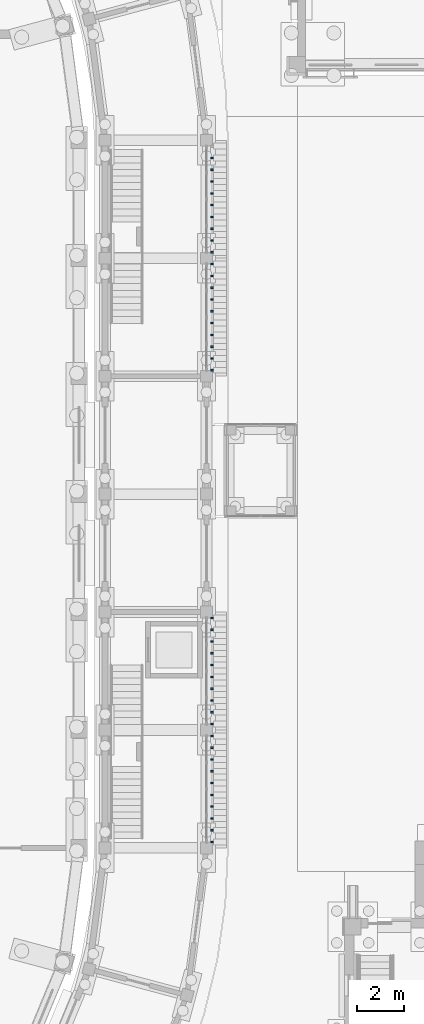
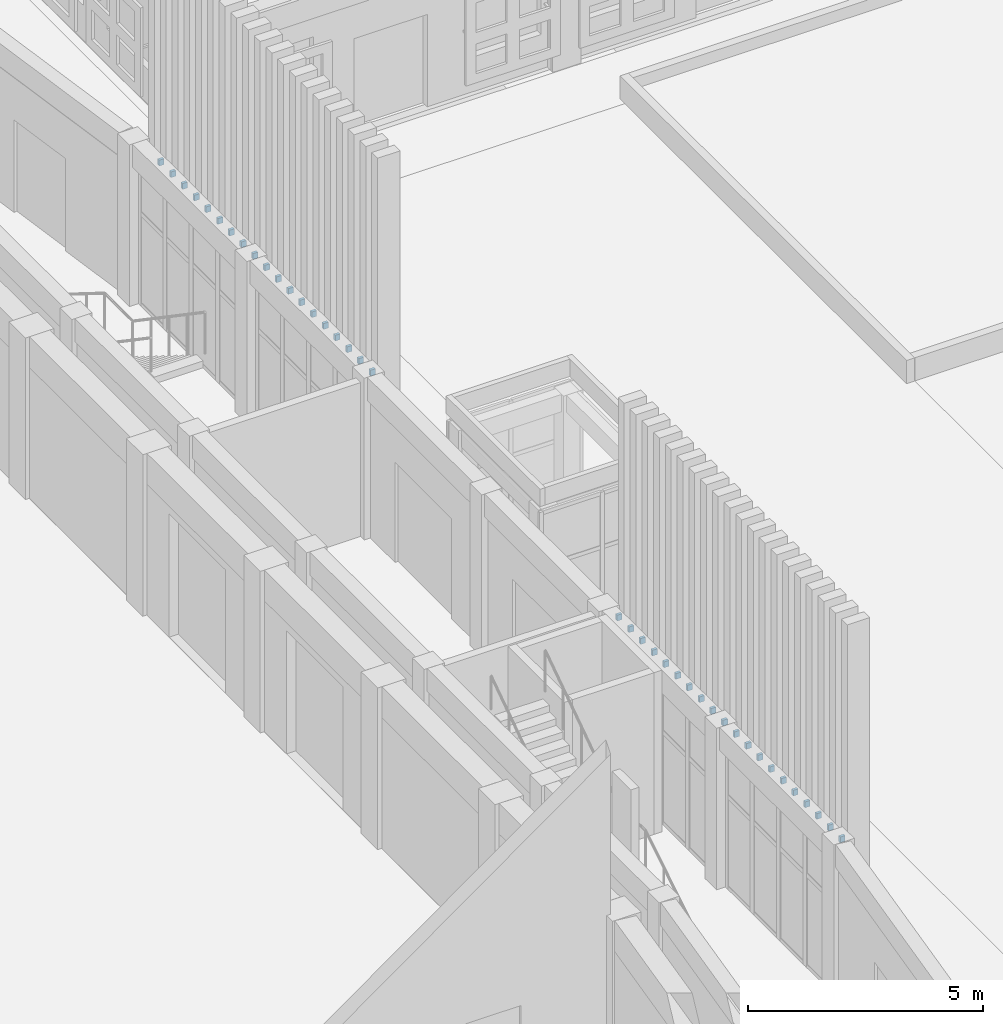
# One storey, part 85 of 112: 39 discrete accessories.
"""IFC4 building model written with IfcOpenShell, lengths in metres."""

import ifcopenshell
import ifcopenshell.guid

model = None  # the IFC model being written
_history = None  # IfcOwnerHistory: only IFC2X3 demands one
_inside = {}  # id of a spatial element -> (the spatial element, [elements in it])
_under = {}  # id of a project, library or spatial element -> (it, [spatial elements below it])
_declared = {}  # id of a project -> (the project, [libraries it declares])
_typed = {}  # id of a type object -> (the type object, [elements of that type])
_made_of = {}  # id of a material, layer set ... -> (it, [elements and type objects made of it])


def new_model(schema):
    """Start an empty IFC model of exactly this schema.

    Asked for "IFC4X3", IfcOpenShell would pick the latest addendum, in which some entities
    have other attributes; the version numbers below select the first issue.
    IFC2X3 requires an IfcOwnerHistory on every rooted entity: one is made here for all.
    """
    global model, _history
    if schema == "IFC4X3":
        model = ifcopenshell.file(schema_version=(4, 3, 0, 0))
    else:
        model = ifcopenshell.file(schema=schema)
    _inside.clear()
    _under.clear()
    _declared.clear()
    _typed.clear()
    _made_of.clear()
    _history = None
    if model.schema == "IFC2X3":
        org = make("IfcOrganization", Name="unknown")
        user = make(
            "IfcPersonAndOrganization",
            ThePerson=make("IfcPerson", FamilyName="unknown"),
            TheOrganization=org,
        )
        app = make(
            "IfcApplication",
            ApplicationDeveloper=org,
            Version="unknown",
            ApplicationFullName="unknown",
            ApplicationIdentifier="unknown",
        )
        _history = make(
            "IfcOwnerHistory",
            OwningUser=user,
            OwningApplication=app,
            ChangeAction="ADDED",
            CreationDate=0,
        )
    return model


def make(cls, **values):
    """One entity of the class cls with the attributes given. An attribute that is None is left unset."""
    return model.create_entity(
        cls, **{name: value for name, value in values.items() if value is not None}
    )


def rooted(cls, **values):
    """An entity with a GlobalId (a new one), such as an element, a storey or a relation."""
    return make(cls, GlobalId=ifcopenshell.guid.new(), OwnerHistory=_history, **values)


def si_unit(unit_type, name, prefix=None):
    """IfcSIUnit, for example si_unit("LENGTHUNIT", "METRE", prefix="MILLI")."""
    return make("IfcSIUnit", UnitType=unit_type, Prefix=prefix, Name=name)


def assignment(units):
    """IfcUnitAssignment: the units of a project."""
    return None if units is None else make("IfcUnitAssignment", Units=units)


def point(xyz):
    """IfcCartesianPoint."""
    return None if xyz is None else make("IfcCartesianPoint", Coordinates=xyz)


def direction(xyz):
    """IfcDirection."""
    return None if xyz is None else make("IfcDirection", DirectionRatios=xyz)


def frame(location, z_axis=None, x_axis=None):
    """IfcAxis2Placement3D, a coordinate frame: its origin and axes. An axis left out is left unset."""
    return make(
        "IfcAxis2Placement3D",
        Location=point(location),
        Axis=direction(z_axis),
        RefDirection=direction(x_axis),
    )


def frame_2d(location, x_axis=None):
    """IfcAxis2Placement2D, a coordinate frame in the plane: its origin and x axis."""
    return make(
        "IfcAxis2Placement2D", Location=point(location), RefDirection=direction(x_axis)
    )


def origin():
    """The frame at (0, 0, 0) with its axes left unset."""
    return frame((0.0, 0.0, 0.0))


def origin_2d():
    """The frame at (0, 0) in the plane with its x axis left unset."""
    return frame_2d((0.0, 0.0))


def place(relative_to, where):
    """IfcLocalPlacement: puts the frame where relative to a parent placement (None: the world)."""
    return make(
        "IfcLocalPlacement", PlacementRelTo=relative_to, RelativePlacement=where
    )


def context(
    kind, dimensions, precision=None, world=None, true_north=None, identifier=None
):
    """IfcGeometricRepresentationContext, for example the 3D "Model" context."""
    return make(
        "IfcGeometricRepresentationContext",
        ContextIdentifier=identifier,
        ContextType=kind,
        CoordinateSpaceDimension=dimensions,
        Precision=precision,
        WorldCoordinateSystem=world,
        TrueNorth=true_north,
    )


def subcontext(parent, identifier, kind, view, scale=None):
    """IfcGeometricRepresentationSubContext, for example "Body" below "Model"."""
    return make(
        "IfcGeometricRepresentationSubContext",
        ContextIdentifier=identifier,
        ContextType=kind,
        ParentContext=parent,
        TargetScale=scale,
        TargetView=view,
    )


def project(units=None, contexts=None):
    """IfcProject with its units and contexts."""
    return rooted(
        "IfcProject",
        Name="project",
        RepresentationContexts=contexts,
        UnitsInContext=assignment(units),
    )


def spatial(cls, under=None, at=None, **own):
    """A site, building, storey or space (cls), placed at a placement, below another one or the project."""
    s = rooted(cls, ObjectPlacement=at, **own)
    if under is not None:
        _under.setdefault(under.id(), (under, []))[1].append(s)
    return s


def profile(cls, at=None, kind="AREA", **sizes):
    """A parametric profile (cls). Its sizes go by their IFC names, for example OverallWidth=200.0."""
    return make(cls, ProfileType=kind, Position=at, **sizes)


def rectangle(**sizes):
    """IfcRectangleProfileDef."""
    return profile("IfcRectangleProfileDef", **sizes)


def extrude(swept, where, along, depth):
    """IfcExtrudedAreaSolid: the profile swept, set in the frame where, extruded along a direction by depth."""
    return make(
        "IfcExtrudedAreaSolid",
        SweptArea=swept,
        Position=where,
        ExtrudedDirection=direction(along),
        Depth=depth,
    )


def shape(context_of_items, identifier, shape_type, items):
    """IfcShapeRepresentation: the items that make up one representation, for example the "Body"."""
    return make(
        "IfcShapeRepresentation",
        ContextOfItems=context_of_items,
        RepresentationIdentifier=identifier,
        RepresentationType=shape_type,
        Items=items,
    )


def material(Name=None, Category=None):
    """IfcMaterial."""
    return make("IfcMaterial", Name=Name, Category=Category)


def made_of(thing, what):
    """Note that an element or type object is made of a material, layer set ...; save() writes the relation."""
    if what is not None:
        _made_of.setdefault(what.id(), (what, []))[1].append(thing)
    return thing


def type_object(cls, material=None, **own):
    """A type object (cls), such as IfcWallType, which elements share."""
    return made_of(rooted(cls, **own), material)


def element(
    cls,
    number,
    at=None,
    inside=None,
    cuts=None,
    type_object=None,
    material=None,
    context=None,
    identifier="Body",
    shape_type=None,
    held_by="IfcProductDefinitionShape",
    body=None,
    shapes=None,
    **own,
):
    """One element of the class cls, such as IfcWall. Its Tag is "e" and its number.

    at: its placement. inside: the storey or other place that contains it. cuts: it is an
    opening in that element (IfcRelVoidsElement). A single representation is given by context,
    identifier, shape_type and body (its items); several are given by shapes. held_by: the class
    of the entity that holds the representations. save() writes the other relations.
    """
    e = rooted(cls, Tag="e%d" % number, ObjectPlacement=at, **own)
    if body is not None:
        shapes = [shape(context, identifier, shape_type, body)]
    if shapes is not None:
        e.Representation = make(held_by, Representations=shapes)
    if inside is not None:
        _inside.setdefault(inside.id(), (inside, []))[1].append(e)
    if cuts is not None:
        rooted(
            "IfcRelVoidsElement", RelatingBuildingElement=cuts, RelatedOpeningElement=e
        )
    if type_object is not None:
        _typed.setdefault(type_object.id(), (type_object, []))[1].append(e)
    return made_of(e, material)


def aggregate(whole, parts):
    """IfcRelAggregates: a whole, such as a stair, and the parts it consists of."""
    return rooted("IfcRelAggregates", RelatingObject=whole, RelatedObjects=parts)


def save(model, path):
    """Write the relations noted so far, then the file.

    IfcRelAggregates (storeys below a building ...), IfcRelContainedInSpatialStructure (elements
    in a storey), IfcRelDefinesByType, IfcRelAssociatesMaterial and IfcRelDeclares: one each for
    every whole, place, type object, material and project.
    """
    for whole, parts in _under.values():
        aggregate(whole, parts)
    for where, things in _inside.values():
        rooted(
            "IfcRelContainedInSpatialStructure",
            RelatedElements=things,
            RelatingStructure=where,
        )
    for kind, things in _typed.values():
        rooted("IfcRelDefinesByType", RelatedObjects=things, RelatingType=kind)
    for what, things in _made_of.values():
        rooted("IfcRelAssociatesMaterial", RelatedObjects=things, RelatingMaterial=what)
    for by, libraries in _declared.values():
        rooted("IfcRelDeclares", RelatingContext=by, RelatedDefinitions=libraries)
    model.write(path)


model = new_model("IFC4")

# Units and contexts
model_context = context("Model", 3, precision=1e-05, world=origin(), true_north=direction((0.0, 1.0)))
body_context = subcontext(model_context, "Body", "Model", "MODEL_VIEW")
ifc_project = project(units=[si_unit("LENGTHUNIT", "METRE"), si_unit("AREAUNIT", "SQUARE_METRE"), si_unit("VOLUMEUNIT", "CUBIC_METRE"), si_unit("PLANEANGLEUNIT", "RADIAN"), si_unit("MASSUNIT", "GRAM", prefix="KILO")], contexts=[model_context])

# Site, building, storey
site_placement = place(None, origin())
site = spatial("IfcSite", under=ifc_project, at=site_placement, CompositionType="ELEMENT")
building_placement = place(site_placement, origin())
building = spatial("IfcBuilding", under=site, at=building_placement, Name="Wasatch Bagh Community Centre", CompositionType="ELEMENT")
storey_placement = place(building_placement, origin())
storey = spatial("IfcBuildingStorey", under=building, at=storey_placement, Name="L00", CompositionType="ELEMENT", Elevation=0.0)

# Discrete accessories
ifc_material = material(Name="ASTM A36 steel", Category="steel")
discrete_accessory_type = type_object("IfcDiscreteAccessoryType", Name="Drum fin bracket", PredefinedType="BRACKET", material=ifc_material)
for number, where, z_axis, x_axis, name in (
    (1, (60.385009765625, 35.25, 3.824951171875), (0.0, 0.0, 1.0), (0.0, 1.0, 0.0), "Fin bracket 13.1.1"),
    (2, (60.385009765625, 35.75, 3.824951171875), (0.0, 0.0, 1.0), (0.0, 1.0, 0.0), "Fin bracket 13.2.1"),
    (3, (60.385009765625, 36.25, 3.824951171875), (0.0, 0.0, 1.0), (0.0, 1.0, 0.0), "Fin bracket 13.3.1"),
    (4, (60.385009765625, 36.75, 3.824951171875), (0.0, 0.0, 1.0), (0.0, 1.0, 0.0), "Fin bracket 13.4.1"),
    (5, (60.385009765625, 37.25, 3.824951171875), (0.0, 0.0, 1.0), (0.0, 1.0, 0.0), "Fin bracket 13.5.1"),
    (6, (60.385009765625, 37.75, 3.824951171875), (0.0, 0.0, 1.0), (0.0, 1.0, 0.0), "Fin bracket 13.6.1"),
    (7, (60.385009765625, 38.25, 3.824951171875), (0.0, 0.0, 1.0), (0.0, 1.0, 0.0), "Fin bracket 13.7.1"),
    (8, (60.385009765625, 38.75, 3.824951171875), (0.0, 0.0, 1.0), (0.0, 1.0, 0.0), "Fin bracket 13.8.1"),
    (9, (60.385009765625, 39.25, 3.824951171875), (0.0, 0.0, 1.0), (0.0, 1.0, 0.0), "Fin bracket 13.9.1"),
    (10, (60.385009765625, 39.75, 3.824951171875), (0.0, 0.0, 1.0), (0.0, 1.0, 0.0), "Fin bracket 13.10.1"),
    (11, (60.385009765625, 40.25, 3.824951171875), (0.0, 0.0, 1.0), (0.0, 1.0, 0.0), "Fin bracket 14.1.1"),
    (12, (60.385009765625, 40.75, 3.824951171875), (0.0, 0.0, 1.0), (0.0, 1.0, 0.0), "Fin bracket 14.2.1"),
    (13, (60.385009765625, 41.25, 3.824951171875), (0.0, 0.0, 1.0), (0.0, 1.0, 0.0), "Fin bracket 14.3.1"),
    (14, (60.385009765625, 41.75, 3.824951171875), (0.0, 0.0, 1.0), (0.0, 1.0, 0.0), "Fin bracket 14.4.1"),
    (15, (60.385009765625, 42.25, 3.824951171875), (0.0, 0.0, 1.0), (0.0, 1.0, 0.0), "Fin bracket 14.5.1"),
    (16, (60.385009765625, 42.75, 3.824951171875), (0.0, 0.0, 1.0), (0.0, 1.0, 0.0), "Fin bracket 14.6.1"),
    (17, (60.385009765625, 43.25, 3.824951171875), (0.0, 0.0, 1.0), (0.0, 1.0, 0.0), "Fin bracket 14.7.1"),
    (18, (60.385009765625, 43.75, 3.824951171875), (0.0, 0.0, 1.0), (0.0, 1.0, 0.0), "Fin bracket 14.8.1"),
    (19, (60.385009765625, 44.25, 3.824951171875), (0.0, 0.0, 1.0), (0.0, 1.0, 0.0), "Fin bracket 14.9.1"),
    (20, (60.385009765625, 44.75, 3.824951171875), (0.0, 0.0, 1.0), (0.0, 1.0, 0.0), "Fin bracket 14.10.1"),
    (21, (60.385009765625, 55.25, 3.824951171875), (0.0, 0.0, 1.0), (0.0, 1.0, 0.0), "Fin bracket 17.1.1"),
    (22, (60.385009765625, 55.75, 3.824951171875), (0.0, 0.0, 1.0), (0.0, 1.0, 0.0), "Fin bracket 17.2.1"),
    (23, (60.385009765625, 56.25, 3.824951171875), (0.0, 0.0, 1.0), (0.0, 1.0, 0.0), "Fin bracket 17.3.1"),
    (24, (60.385009765625, 56.75, 3.824951171875), (0.0, 0.0, 1.0), (0.0, 1.0, 0.0), "Fin bracket 17.4.1"),
    (25, (60.385009765625, 57.25, 3.824951171875), (0.0, 0.0, 1.0), (0.0, 1.0, 0.0), "Fin bracket 17.5.1"),
    (26, (60.385009765625, 57.75, 3.824951171875), (0.0, 0.0, 1.0), (0.0, 1.0, 0.0), "Fin bracket 17.6.1"),
    (27, (60.385009765625, 58.25, 3.824951171875), (0.0, 0.0, 1.0), (0.0, 1.0, 0.0), "Fin bracket 17.7.1"),
    (28, (60.385009765625, 58.75, 3.824951171875), (0.0, 0.0, 1.0), (0.0, 1.0, 0.0), "Fin bracket 17.8.1"),
    (29, (60.385009765625, 59.25, 3.824951171875), (0.0, 0.0, 1.0), (0.0, 1.0, 0.0), "Fin bracket 17.9.1"),
    (30, (60.385009765625, 59.75, 3.824951171875), (0.0, 0.0, 1.0), (0.0, 1.0, 0.0), "Fin bracket 17.10.1"),
    (31, (60.385009765625, 60.25, 3.824951171875), (0.0, 0.0, 1.0), (0.0, 1.0, 0.0), "Fin bracket 18.1.1"),
    (32, (60.385009765625, 60.75, 3.824951171875), (0.0, 0.0, 1.0), (0.0, 1.0, 0.0), "Fin bracket 18.2.1"),
    (33, (60.385009765625, 61.25, 3.824951171875), (0.0, 0.0, 1.0), (0.0, 1.0, 0.0), "Fin bracket 18.3.1"),
    (34, (60.385009765625, 61.75, 3.824951171875), (0.0, 0.0, 1.0), (0.0, 1.0, 0.0), "Fin bracket 18.4.1"),
    (35, (60.385009765625, 62.25, 3.824951171875), (0.0, 0.0, 1.0), (0.0, 1.0, 0.0), "Fin bracket 18.5.1"),
    (36, (60.385009765625, 62.75, 3.824951171875), (0.0, 0.0, 1.0), (0.0, 1.0, 0.0), "Fin bracket 18.6.1"),
    (37, (60.385009765625, 63.25, 3.824951171875), (0.0, 0.0, 1.0), (0.0, 1.0, 0.0), "Fin bracket 18.7.1"),
    (38, (60.385009765625, 63.75, 3.824951171875), (0.0, 0.0, 1.0), (0.0, 1.0, 0.0), "Fin bracket 18.8.1"),
    (39, (60.385009765625, 64.25, 3.824951171875), (0.0, 0.0, 1.0), (0.0, 1.0, 0.0), "Fin bracket 18.9.1"),
):
    element("IfcDiscreteAccessory", number, at=place(storey_placement, frame(where, z_axis=z_axis, x_axis=x_axis)), inside=storey, type_object=discrete_accessory_type, Name=name, PredefinedType="BRACKET", context=body_context, shape_type="SweptSolid", body=[
        extrude(rectangle(XDim=0.070068359375, YDim=0.1201171875, at=origin_2d()), origin(), (0.0, 0.0, 1.0), 0.14990234375),
    ])

save(model, "model.ifc")
